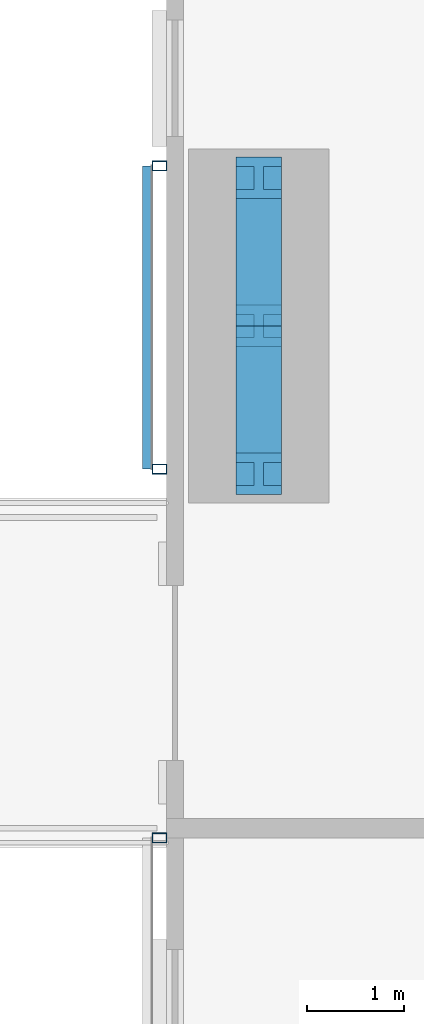
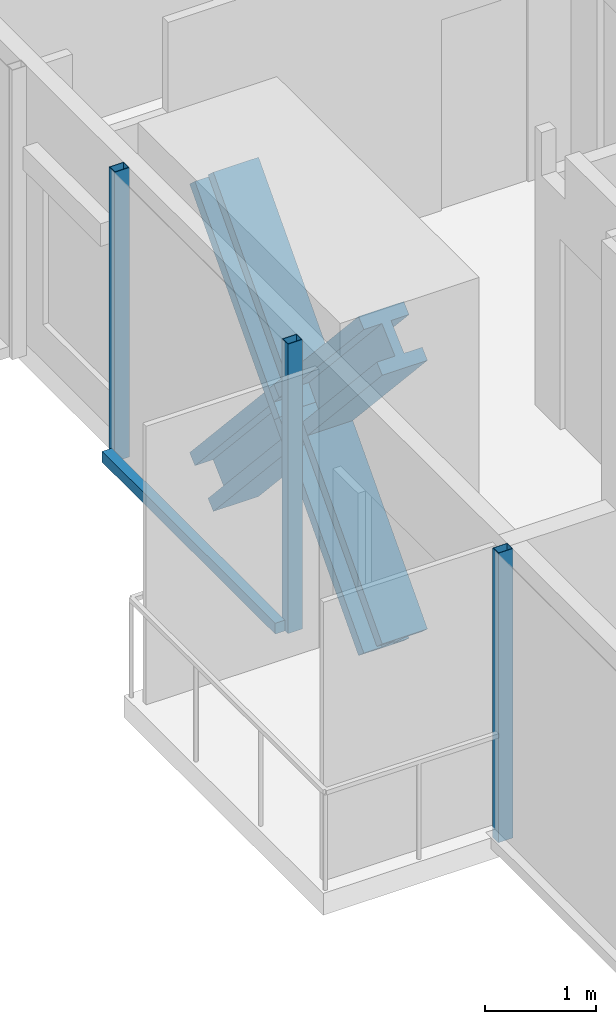
# One storey, part 4 of 22: 8 members, 2 elements without a shape of their own.
"""IFC4 building model written with IfcOpenShell, lengths in metres."""

from ifc_helpers import new_model, si_unit, direction, frame, origin, origin_2d, place, context, subcontext, project, spatial, rectangle, hollow_rectangle, i_section, extrude, material, material_profile, profile_set, type_object, element, aggregate, save


model = new_model("IFC4")

# Units and contexts
model_context = context("Model", 3, precision=1e-05, world=origin(), true_north=direction((0.0, 1.0)))
body_context = subcontext(model_context, "Body", "Model", "MODEL_VIEW")
ifc_project = project(units=[si_unit("LENGTHUNIT", "METRE"), si_unit("AREAUNIT", "SQUARE_METRE"), si_unit("VOLUMEUNIT", "CUBIC_METRE"), si_unit("PLANEANGLEUNIT", "RADIAN"), si_unit("MASSUNIT", "GRAM", prefix="KILO")], contexts=[model_context])

# Site, building, storey
site_placement = place(None, origin())
site = spatial("IfcSite", under=ifc_project, at=site_placement, CompositionType="ELEMENT")
building_placement = place(site_placement, origin())
building = spatial("IfcBuilding", under=site, at=building_placement, Name="Jalousie Tower", CompositionType="ELEMENT")
storey_placement = place(building_placement, frame((0.0, 0.0, 204.60009765625)))
storey = spatial("IfcBuildingStorey", under=building, at=storey_placement, Name="L56", CompositionType="ELEMENT", Elevation=204.60009765625)

# Members
ifc_material_1 = material(Name="Steel ASTM A992 Grade 50", Category="steel")
ifc_material_profile_1 = material_profile(ifc_material_1, i_section(OverallWidth=0.472412109375, OverallDepth=0.5791015625, WebThickness=0.094970703125, FlangeThickness=0.1298828125, at=origin_2d()), Name="W14X808")
ifc_profile_set_1 = profile_set([ifc_material_profile_1], Name="Steel ASTM A992 Grade 50")
member_type_1 = type_object("IfcMemberType", Name="PERIMETER BRACE W14X808", PredefinedType="BRACE", material=ifc_profile_set_1)
for number, where, z_axis, x_axis, name in (
    (1, (12.949951171875, 11.47509765625, -0.60009765625), (0.0, 0.673187629365, 0.739471713908), (-1.0, 0.0, 0.0), "Perimeter brace 14 L56 part 1"),
    (2, (12.949951171875, 13.0, 1.074951171875), (0.0, 0.673187629365, 0.739471713908), (-1.0, 0.0, 0.0), "Perimeter brace 14 L56 part 2"),
    (3, (12.949951171875, 14.52490234375, -0.60009765625), (0.0, -0.673187629365, 0.739471713908), (1.0, 0.0, 0.0), "Perimeter brace 14 L56 part 3"),
    (4, (12.949951171875, 13.0, 1.074951171875), (0.0, -0.673187629365, 0.739471713908), (1.0, 0.0, 0.0), "Perimeter brace 14 L56 part 4"),
):
    element("IfcMember", number, at=place(storey_placement, frame(where, z_axis=z_axis, x_axis=x_axis)), inside=storey, type_object=member_type_1, Name=name, PredefinedType="BRACE", context=body_context, shape_type="SweptSolid", body=[
        extrude(i_section(OverallWidth=0.472412109375, OverallDepth=0.5791015625, WebThickness=0.094970703125, FlangeThickness=0.1298828125, at=origin_2d()), origin(), (0.0, 0.0, 1.0), 2.26513671875),
    ])

# Curtain wall, members
ifc_material_2 = material(Name="Perforated aluminium sheet", Category="aluminium")
curtain_wall_type = type_object("IfcCurtainWallType", Name="SOLAR SCREEN SS-1", PredefinedType="USERDEFINED", material=ifc_material_2)
curtain_wall_1_placement = place(storey_placement, origin())
curtain_wall_1 = element("IfcCurtainWall", 5, at=curtain_wall_1_placement, inside=storey, type_object=curtain_wall_type, Name="Solar screen L56", ObjectType="SOLAR SCREEN SS-1", PredefinedType="USERDEFINED")
ifc_material_3 = material(Name="Steel ASTM A500 Grade C", Category="steel")
ifc_material_profile_2 = material_profile(ifc_material_3, hollow_rectangle(XDim=0.1015625, YDim=0.15234375, WallThickness=0.00634765625, at=origin_2d()), Name="HSS6X4X1/4")
ifc_profile_set_2 = profile_set([ifc_material_profile_2], Name="Steel ASTM A500 Grade C")
member_type_2 = type_object("IfcMemberType", Name="SOLAR SCREEN SS-1 MULLION", PredefinedType="MULLION", material=ifc_profile_set_2)
member_1_placement = place(storey_placement, frame((11.9287109375, 14.649658203125, -0.1201171875), z_axis=(0.0, 0.0, 1.0), x_axis=(0.0, -1.0, 0.0)))
member_1 = element("IfcMember", 6, at=member_1_placement, type_object=member_type_2, Name="SS1 post 1", PredefinedType="MULLION", context=body_context, shape_type="SweptSolid", body=[
    extrude(hollow_rectangle(XDim=0.1015625, YDim=0.15234375, WallThickness=0.00634765625, at=origin_2d()), origin(), (0.0, 0.0, 1.0), 3.18994140625),
])
member_2_placement = place(storey_placement, frame((11.9287109375, 11.52490234375, -0.1201171875), z_axis=(0.0, 0.0, 1.0), x_axis=(0.0, -1.0, 0.0)))
member_2 = element("IfcMember", 7, at=member_2_placement, type_object=member_type_2, Name="SS1 post 2", PredefinedType="MULLION", context=body_context, shape_type="SweptSolid", body=[
    extrude(hollow_rectangle(XDim=0.1015625, YDim=0.15234375, WallThickness=0.00634765625, at=origin_2d()), origin(), (0.0, 0.0, 1.0), 3.18994140625),
])

# Curtain wall, member
curtain_wall_2_placement = place(storey_placement, origin())
curtain_wall_2 = element("IfcCurtainWall", 8, at=curtain_wall_2_placement, inside=storey, type_object=curtain_wall_type, Name="Solar screen L56", ObjectType="SOLAR SCREEN SS-1", PredefinedType="USERDEFINED")
member_3_placement = place(storey_placement, frame((11.9287109375, 7.72509765625, -0.1201171875), z_axis=(0.0, 0.0, 1.0), x_axis=(0.0, -1.0, 0.0)))
member_3 = element("IfcMember", 9, at=member_3_placement, type_object=member_type_2, Name="SS1 post 1", PredefinedType="MULLION", context=body_context, shape_type="SweptSolid", body=[
    extrude(hollow_rectangle(XDim=0.1015625, YDim=0.15234375, WallThickness=0.00634765625, at=origin_2d()), origin(), (0.0, 0.0, 1.0), 3.18994140625),
])
aggregate(curtain_wall_2, [member_3])

# Member
ifc_material_4 = material(Name="Extruded aluminium screen rail", Category="aluminium")
ifc_material_profile_3 = material_profile(ifc_material_4, rectangle(XDim=0.1015625, YDim=0.1201171875, at=origin_2d()), Name="RAIL 102x120")
ifc_profile_set_3 = profile_set([ifc_material_profile_3], Name="Extruded aluminium screen rail")
member_type_3 = type_object("IfcMemberType", Name="SOLAR SCREEN SS-1 TRANSOM", PredefinedType="USERDEFINED", material=ifc_profile_set_3)
member_4_placement = place(storey_placement, frame((11.8017578125, 14.649658203125, -0.06005859375), z_axis=(0.0, -1.0, 0.0), x_axis=(1.0, 0.0, 0.0)))
member_4 = element("IfcMember", 10, at=member_4_placement, type_object=member_type_3, Name="SS1 rail", ObjectType="TRANSOM", PredefinedType="USERDEFINED", context=body_context, shape_type="SweptSolid", body=[
    extrude(rectangle(XDim=0.1015625, YDim=0.1201171875, at=origin_2d()), origin(), (0.0, 0.0, 1.0), 3.124755859375),
])

aggregate(curtain_wall_1, [member_1, member_2, member_4])

save(model, "model.ifc")
